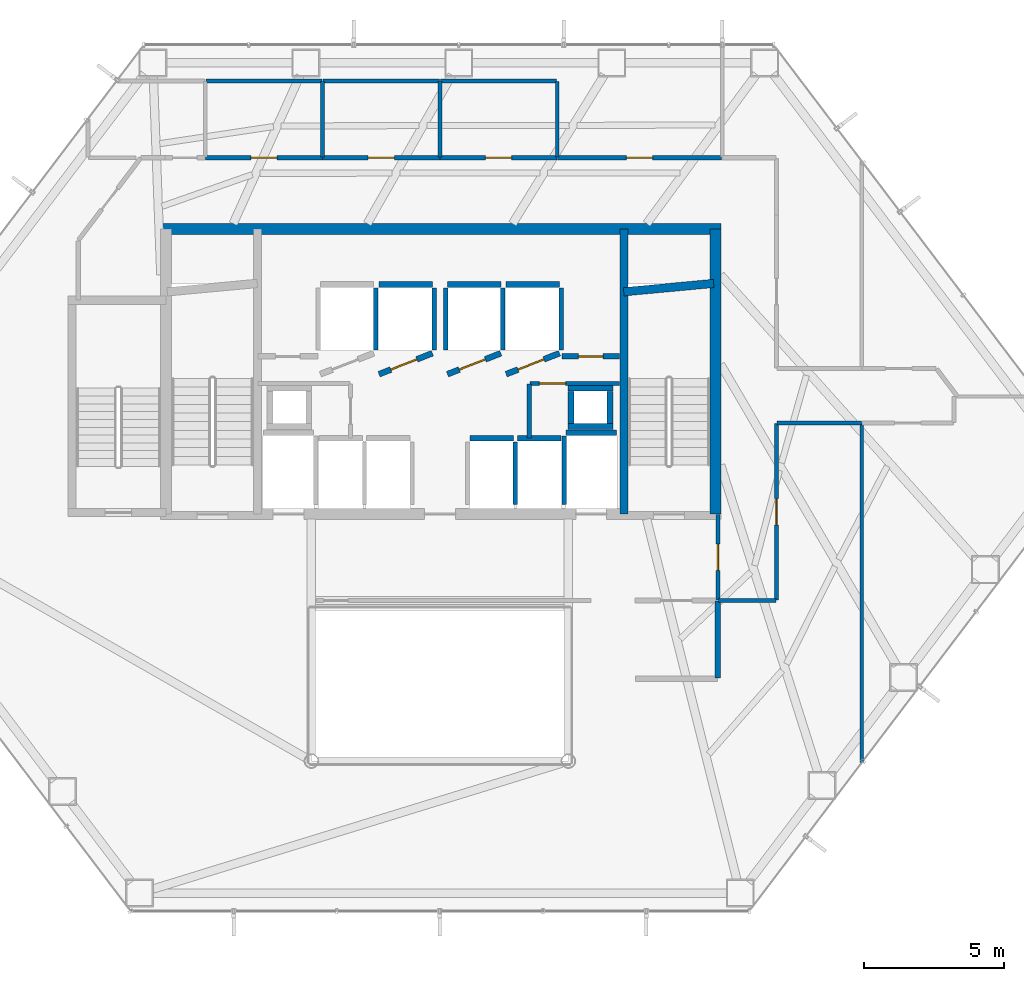
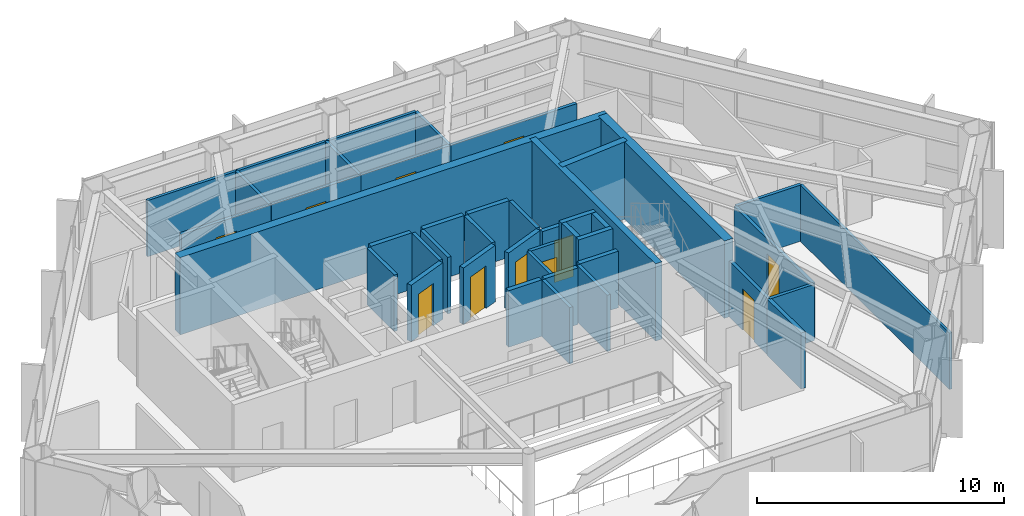
# One storey, part 23 of 25: 43 walls, 11 doors, 11 openings.
"""IFC4 building model written with IfcOpenShell, lengths in metres."""

from ifc_helpers import new_model, si_unit, direction, frame, frame_2d, origin, place, context, subcontext, project, spatial, rectangle, extrude, material, layer, layer_set, type_object, element, fill, save


model = new_model("IFC4")

# Units and contexts
model_context = context("Model", 3, precision=1e-05, world=origin(), true_north=direction((0.0, 1.0)))
body_context = subcontext(model_context, "Body", "Model", "MODEL_VIEW")
ifc_project = project(units=[si_unit("LENGTHUNIT", "METRE"), si_unit("AREAUNIT", "SQUARE_METRE"), si_unit("VOLUMEUNIT", "CUBIC_METRE"), si_unit("PLANEANGLEUNIT", "RADIAN"), si_unit("MASSUNIT", "GRAM", prefix="KILO")], contexts=[model_context])

# Site, building, storey
site_placement = place(None, origin())
site = spatial("IfcSite", under=ifc_project, at=site_placement, CompositionType="ELEMENT")
building_placement = place(site_placement, origin())
building = spatial("IfcBuilding", under=site, at=building_placement, Name="Zarrinselat Tower", CompositionType="ELEMENT")
storey_placement = place(building_placement, frame((0.0, 0.0, 39.780029296875)))
storey = spatial("IfcBuildingStorey", under=building, at=storey_placement, Name="L09", CompositionType="ELEMENT", Elevation=39.780029296875)

# Wall
ifc_material_1 = material(Name="Concrete C40/50", Category="concrete")
ifc_layer_1 = layer(ifc_material_1, 0.18994140625)
ifc_layer_set_1 = layer_set([ifc_layer_1], Name="Concrete C40/50")
wall_type_1 = type_object("IfcWallType", Name="WAL-PART-EI120", PredefinedType="PARTITIONING", material=ifc_layer_set_1)
wall_1_placement = place(storey_placement, frame((48.35009765625, 27.3701171875, 0.0), z_axis=(0.0, 0.0, 1.0), x_axis=(0.0, 1.0, 0.0)))
element("IfcWall", 1, at=wall_1_placement, inside=storey, type_object=wall_type_1, Name="L09 Partition Wall 11", PredefinedType="PARTITIONING", context=body_context, shape_type="SweptSolid", body=[
    extrude(rectangle(XDim=2.759765625, YDim=0.18994140625, at=frame_2d((1.3798828125, 0.0))), origin(), (0.0, 0.0, 1.0), 2.77685546875),
])

# Wall, opening, door
ifc_material_2 = material(Name="Fire-Rated Gypsum Board Partition", Category="gypsum")
ifc_layer_2 = layer(ifc_material_2, 0.14990234375)
ifc_layer_set_2 = layer_set([ifc_layer_2], Name="Fire-Rated Gypsum Board Partition")
wall_type_2 = type_object("IfcWallType", Name="WAL-PART-EI60", PredefinedType="PARTITIONING", material=ifc_layer_set_2)
wall_2_placement = place(storey_placement, frame((41.6201171875, 37.919921875, 0.0), z_axis=(0.0, 0.0, 1.0), x_axis=(1.0, 0.0, 0.0)))
wall_2 = element("IfcWall", 2, at=wall_2_placement, inside=storey, type_object=wall_type_2, Name="L09 Partition Wall 5", PredefinedType="PARTITIONING", context=body_context, shape_type="SweptSolid", body=[
    extrude(rectangle(XDim=3.21484375, YDim=0.14990234375, at=frame_2d((1.607421875, 0.0))), origin(), (0.0, 0.0, 1.0), 2.77685546875),
])
opening_1_placement = place(wall_2_placement, frame((0.33740234375, 0.0, 0.0)))
opening_1 = element("IfcOpeningElement", 3, at=opening_1_placement, cuts=wall_2, Name="Opening ID-04", PredefinedType="OPENING", context=body_context, shape_type="SweptSolid", body=[
    extrude(rectangle(XDim=0.93994140625, YDim=2.050048828125, at=frame_2d((0.469970703125, 1.02490234375))), frame((0.0, 0.0849609375, 0.0), z_axis=(0.0, -1.0, 0.0), x_axis=(1.0, 0.0, 0.0)), (0.0, 0.0, 1.0), 0.169921875),
])
ifc_material_3 = material(Name="Fire-Rated Gypsum Board Partition")
door_type_1 = type_object("IfcDoorType", Name="DR-INT-FD30-ENT", OperationType="NOTDEFINED", PredefinedType="DOOR", material=ifc_material_3)
door_1_placement = place(opening_1_placement, origin())
door_1 = element("IfcDoor", 4, at=door_1_placement, inside=storey, type_object=door_type_1, Name="L09 Interior Door P5", OperationType="SINGLE_SWING_RIGHT", OverallHeight=2.050048828125, OverallWidth=0.93994140625, PredefinedType="DOOR", context=body_context, shape_type="SweptSolid", body=[
    extrude(rectangle(XDim=0.93994140625, YDim=2.050048828125, at=frame_2d((0.469970703125, 1.02490234375))), frame((0.0, 0.02490234375, 0.0), z_axis=(0.0, -1.0, 0.0), x_axis=(1.0, 0.0, 0.0)), (0.0, 0.0, 1.0), 0.050048828125),
])
fill(opening_1, door_1)

# Wall
wall_3_placement = place(storey_placement, frame((41.60009765625, 35.969970703125, 0.0), z_axis=(0.0, 0.0, 1.0), x_axis=(0.0, 1.0, 0.0)))
element("IfcWall", 5, at=wall_3_placement, inside=storey, type_object=wall_type_2, Name="L09 Partition Wall 6", PredefinedType="PARTITIONING", context=body_context, shape_type="SweptSolid", body=[
    extrude(rectangle(XDim=1.929931640625, YDim=0.14990234375, at=frame_2d((0.96484375, 0.0))), origin(), (0.0, 0.0, 1.0), 2.77685546875),
])

# Wall, opening, door
wall_4_placement = place(storey_placement, frame((48.35009765625, 30.169921875, 0.0), z_axis=(0.0, 0.0, 1.0), x_axis=(0.0, 1.0, 0.0)))
wall_4 = element("IfcWall", 6, at=wall_4_placement, inside=storey, type_object=wall_type_2, Name="L09 Partition Wall 8", PredefinedType="PARTITIONING", context=body_context, shape_type="SweptSolid", body=[
    extrude(rectangle(XDim=3.06005859375, YDim=0.14990234375, at=frame_2d((1.530029296875, 0.0))), origin(), (0.0, 0.0, 1.0), 2.77685546875),
])
opening_2_placement = place(wall_4_placement, frame((1.06005859375, 0.0, 0.0)))
opening_2 = element("IfcOpeningElement", 7, at=opening_2_placement, cuts=wall_4, Name="Opening ID-04", PredefinedType="OPENING", context=body_context, shape_type="SweptSolid", body=[
    extrude(rectangle(XDim=0.93994140625, YDim=2.050048828125, at=frame_2d((0.469970703125, 1.02490234375))), frame((0.0, 0.0849609375, 0.0), z_axis=(0.0, -1.0, 0.0), x_axis=(1.0, 0.0, 0.0)), (0.0, 0.0, 1.0), 0.169921875),
])
door_2_placement = place(opening_2_placement, origin())
door_2 = element("IfcDoor", 8, at=door_2_placement, inside=storey, type_object=door_type_1, Name="L09 Interior Door P8", OperationType="SINGLE_SWING_RIGHT", OverallHeight=2.050048828125, OverallWidth=0.93994140625, PredefinedType="DOOR", context=body_context, shape_type="SweptSolid", body=[
    extrude(rectangle(XDim=0.93994140625, YDim=2.050048828125, at=frame_2d((0.469970703125, 1.02490234375))), frame((0.0, 0.02490234375, 0.0), z_axis=(0.0, -1.0, 0.0), x_axis=(1.0, 0.0, 0.0)), (0.0, 0.0, 1.0), 0.050048828125),
])
fill(opening_2, door_2)

wall_5_placement = place(storey_placement, frame((30.0048828125, 46.0, 0.0), z_axis=(0.0, 0.0, 1.0), x_axis=(1.0, 0.0, 0.0)))
wall_5 = element("IfcWall", 9, at=wall_5_placement, inside=storey, type_object=wall_type_2, Name="L09 Partition Wall 14", PredefinedType="PARTITIONING", context=body_context, shape_type="SweptSolid", body=[
    extrude(rectangle(XDim=4.190185546875, YDim=0.14990234375, at=frame_2d((2.09521484375, 0.0))), origin(), (0.0, 0.0, 1.0), 2.77685546875),
])
opening_3_placement = place(wall_5_placement, frame((1.625, 0.0, 0.0)))
opening_3 = element("IfcOpeningElement", 10, at=opening_3_placement, cuts=wall_5, Name="Opening ID-04", PredefinedType="OPENING", context=body_context, shape_type="SweptSolid", body=[
    extrude(rectangle(XDim=0.93994140625, YDim=2.050048828125, at=frame_2d((0.469970703125, 1.02490234375))), frame((0.0, 0.0849609375, 0.0), z_axis=(0.0, -1.0, 0.0), x_axis=(1.0, 0.0, 0.0)), (0.0, 0.0, 1.0), 0.169921875),
])
door_3_placement = place(opening_3_placement, origin())
door_3 = element("IfcDoor", 11, at=door_3_placement, inside=storey, type_object=door_type_1, Name="L09 Interior Door P14", OperationType="SINGLE_SWING_LEFT", OverallHeight=2.050048828125, OverallWidth=0.93994140625, PredefinedType="DOOR", context=body_context, shape_type="SweptSolid", body=[
    extrude(rectangle(XDim=0.93994140625, YDim=2.050048828125, at=frame_2d((0.469970703125, 1.02490234375))), frame((0.0, 0.02490234375, 0.0), z_axis=(0.0, -1.0, 0.0), x_axis=(1.0, 0.0, 0.0)), (0.0, 0.0, 1.0), 0.050048828125),
])
fill(opening_3, door_3)

wall_6_placement = place(storey_placement, frame((34.205078125, 46.0, 0.0), z_axis=(0.0, 0.0, 1.0), x_axis=(1.0, 0.0, 0.0)))
wall_6 = element("IfcWall", 12, at=wall_6_placement, inside=storey, type_object=wall_type_2, Name="L09 Partition Wall 15", PredefinedType="PARTITIONING", context=body_context, shape_type="SweptSolid", body=[
    extrude(rectangle(XDim=4.18994140625, YDim=0.14990234375, at=frame_2d((2.094970703125, 0.0))), origin(), (0.0, 0.0, 1.0), 2.77685546875),
])
opening_4_placement = place(wall_6_placement, frame((1.625, 0.0, 0.0)))
opening_4 = element("IfcOpeningElement", 13, at=opening_4_placement, cuts=wall_6, Name="Opening ID-04", PredefinedType="OPENING", context=body_context, shape_type="SweptSolid", body=[
    extrude(rectangle(XDim=0.93994140625, YDim=2.050048828125, at=frame_2d((0.469970703125, 1.02490234375))), frame((0.0, 0.0849609375, 0.0), z_axis=(0.0, -1.0, 0.0), x_axis=(1.0, 0.0, 0.0)), (0.0, 0.0, 1.0), 0.169921875),
])
door_4_placement = place(opening_4_placement, origin())
door_4 = element("IfcDoor", 14, at=door_4_placement, inside=storey, type_object=door_type_1, Name="L09 Interior Door P15", OperationType="SINGLE_SWING_RIGHT", OverallHeight=2.050048828125, OverallWidth=0.93994140625, PredefinedType="DOOR", context=body_context, shape_type="SweptSolid", body=[
    extrude(rectangle(XDim=0.93994140625, YDim=2.050048828125, at=frame_2d((0.469970703125, 1.02490234375))), frame((0.0, 0.02490234375, 0.0), z_axis=(0.0, -1.0, 0.0), x_axis=(1.0, 0.0, 0.0)), (0.0, 0.0, 1.0), 0.050048828125),
])
fill(opening_4, door_4)

wall_7_placement = place(storey_placement, frame((38.405029296875, 46.0, 0.0), z_axis=(0.0, 0.0, 1.0), x_axis=(1.0, 0.0, 0.0)))
wall_7 = element("IfcWall", 15, at=wall_7_placement, inside=storey, type_object=wall_type_2, Name="L09 Partition Wall 16", PredefinedType="PARTITIONING", context=body_context, shape_type="SweptSolid", body=[
    extrude(rectangle(XDim=4.18994140625, YDim=0.14990234375, at=frame_2d((2.094970703125, 0.0))), origin(), (0.0, 0.0, 1.0), 2.77685546875),
])
opening_5_placement = place(wall_7_placement, frame((1.625, 0.0, 0.0)))
opening_5 = element("IfcOpeningElement", 16, at=opening_5_placement, cuts=wall_7, Name="Opening ID-04", PredefinedType="OPENING", context=body_context, shape_type="SweptSolid", body=[
    extrude(rectangle(XDim=0.93994140625, YDim=2.050048828125, at=frame_2d((0.469970703125, 1.02490234375))), frame((0.0, 0.0849609375, 0.0), z_axis=(0.0, -1.0, 0.0), x_axis=(1.0, 0.0, 0.0)), (0.0, 0.0, 1.0), 0.169921875),
])
door_5_placement = place(opening_5_placement, origin())
door_5 = element("IfcDoor", 17, at=door_5_placement, inside=storey, type_object=door_type_1, Name="L09 Interior Door P16", OperationType="SINGLE_SWING_LEFT", OverallHeight=2.050048828125, OverallWidth=0.93994140625, PredefinedType="DOOR", context=body_context, shape_type="SweptSolid", body=[
    extrude(rectangle(XDim=0.93994140625, YDim=2.050048828125, at=frame_2d((0.469970703125, 1.02490234375))), frame((0.0, 0.02490234375, 0.0), z_axis=(0.0, -1.0, 0.0), x_axis=(1.0, 0.0, 0.0)), (0.0, 0.0, 1.0), 0.050048828125),
])
fill(opening_5, door_5)

# Wall
wall_8_placement = place(storey_placement, frame((50.469970703125, 36.5, 0.0), z_axis=(0.0, 0.0, 1.0), x_axis=(1.0, 0.0, 0.0)))
element("IfcWall", 18, at=wall_8_placement, inside=storey, type_object=wall_type_2, Name="L09 Partition Wall 17", PredefinedType="PARTITIONING", context=body_context, shape_type="SweptSolid", body=[
    extrude(rectangle(XDim=3.025146484375, YDim=0.14990234375, at=frame_2d((1.5126953125, 0.0))), origin(), (0.0, 0.0, 1.0), 2.77685546875),
])

# Wall, opening, door
wall_9_placement = place(storey_placement, frame((50.449951171875, 30.169921875, 0.0), z_axis=(0.0, 0.0, 1.0), x_axis=(0.0, 1.0, 0.0)))
wall_9 = element("IfcWall", 19, at=wall_9_placement, inside=storey, type_object=wall_type_2, Name="L09 Partition Wall 18", PredefinedType="PARTITIONING", context=body_context, shape_type="SweptSolid", body=[
    extrude(rectangle(XDim=6.31005859375, YDim=0.14990234375, at=frame_2d((3.155029296875, 0.0))), origin(), (0.0, 0.0, 1.0), 2.77685546875),
])
opening_6_placement = place(wall_9_placement, frame((2.68505859375, 0.0, 0.0)))
opening_6 = element("IfcOpeningElement", 20, at=opening_6_placement, cuts=wall_9, Name="Opening ID-04", PredefinedType="OPENING", context=body_context, shape_type="SweptSolid", body=[
    extrude(rectangle(XDim=0.93994140625, YDim=2.050048828125, at=frame_2d((0.469970703125, 1.02490234375))), frame((0.0, 0.0849609375, 0.0), z_axis=(0.0, -1.0, 0.0), x_axis=(1.0, 0.0, 0.0)), (0.0, 0.0, 1.0), 0.169921875),
])
door_6_placement = place(opening_6_placement, origin())
door_6 = element("IfcDoor", 21, at=door_6_placement, inside=storey, type_object=door_type_1, Name="L09 Interior Door P18", OperationType="SINGLE_SWING_RIGHT", OverallHeight=2.050048828125, OverallWidth=0.93994140625, PredefinedType="DOOR", context=body_context, shape_type="SweptSolid", body=[
    extrude(rectangle(XDim=0.93994140625, YDim=2.050048828125, at=frame_2d((0.469970703125, 1.02490234375))), frame((0.0, 0.02490234375, 0.0), z_axis=(0.0, -1.0, 0.0), x_axis=(1.0, 0.0, 0.0)), (0.0, 0.0, 1.0), 0.050048828125),
])
fill(opening_6, door_6)

# Wall
wall_10_placement = place(storey_placement, frame((48.3701171875, 30.14990234375, 0.0), z_axis=(0.0, 0.0, 1.0), x_axis=(1.0, 0.0, 0.0)))
element("IfcWall", 22, at=wall_10_placement, inside=storey, type_object=wall_type_2, Name="L09 Partition Wall 19", PredefinedType="PARTITIONING", context=body_context, shape_type="SweptSolid", body=[
    extrude(rectangle(XDim=2.059814453125, YDim=0.14990234375, at=frame_2d((1.02978515625, 0.0))), origin(), (0.0, 0.0, 1.0), 2.77685546875),
])

# Wall, opening, door
wall_11_placement = place(storey_placement, frame((42.60498046875, 46.0, 0.0), z_axis=(0.0, 0.0, 1.0), x_axis=(1.0, 0.0, 0.0)))
wall_11 = element("IfcWall", 23, at=wall_11_placement, inside=storey, type_object=wall_type_2, Name="L09 Partition Wall 30", PredefinedType="PARTITIONING", context=body_context, shape_type="SweptSolid", body=[
    extrude(rectangle(XDim=5.880126953125, YDim=0.14990234375, at=frame_2d((2.93994140625, 0.0))), origin(), (0.0, 0.0, 1.0), 2.77685546875),
])
opening_7_placement = place(wall_11_placement, frame((2.469970703125, 0.0, 0.0)))
opening_7 = element("IfcOpeningElement", 24, at=opening_7_placement, cuts=wall_11, Name="Opening ID-04", PredefinedType="OPENING", context=body_context, shape_type="SweptSolid", body=[
    extrude(rectangle(XDim=0.93994140625, YDim=2.050048828125, at=frame_2d((0.469970703125, 1.02490234375))), frame((0.0, 0.0849609375, 0.0), z_axis=(0.0, -1.0, 0.0), x_axis=(1.0, 0.0, 0.0)), (0.0, 0.0, 1.0), 0.169921875),
])
door_7_placement = place(opening_7_placement, origin())
door_7 = element("IfcDoor", 25, at=door_7_placement, inside=storey, type_object=door_type_1, Name="L09 Interior Door P30", OperationType="SINGLE_SWING_LEFT", OverallHeight=2.050048828125, OverallWidth=0.93994140625, PredefinedType="DOOR", context=body_context, shape_type="SweptSolid", body=[
    extrude(rectangle(XDim=0.93994140625, YDim=2.050048828125, at=frame_2d((0.469970703125, 1.02490234375))), frame((0.0, 0.02490234375, 0.0), z_axis=(0.0, -1.0, 0.0), x_axis=(1.0, 0.0, 0.0)), (0.0, 0.0, 1.0), 0.050048828125),
])
fill(opening_7, door_7)

ifc_material_4 = material(Name="Concrete C40/50", Category="concrete")
ifc_layer_3 = layer(ifc_material_4, 0.199951171875)
ifc_layer_set_3 = layer_set([ifc_layer_3], Name="Concrete C40/50")
wall_type_3 = type_object("IfcWallType", Name="WAL-PART-PLANT", PredefinedType="PARTITIONING", material=ifc_layer_set_3)
wall_12_placement = place(storey_placement, frame((42.764892578125, 38.889892578125, 0.0), z_axis=(0.0, 0.0, 1.0), x_axis=(1.0, 0.0, 0.0)))
wall_12 = element("IfcWall", 26, at=wall_12_placement, inside=storey, type_object=wall_type_3, Name="L09 Partition Wall 4", PredefinedType="PARTITIONING", context=body_context, shape_type="SweptSolid", body=[
    extrude(rectangle(XDim=2.070068359375, YDim=0.199951171875, at=frame_2d((1.03515625, 0.0))), origin(), (0.0, 0.0, 1.0), 2.77685546875),
])
opening_8_placement = place(wall_12_placement, frame((0.594970703125, 0.0, 0.0)))
opening_8 = element("IfcOpeningElement", 27, at=opening_8_placement, cuts=wall_12, Name="Opening ID-03", PredefinedType="OPENING", context=body_context, shape_type="SweptSolid", body=[
    extrude(rectangle(XDim=0.8798828125, YDim=2.050048828125, at=frame_2d((0.43994140625, 1.02490234375))), frame((0.0, 0.10986328125, 0.0), z_axis=(0.0, -1.0, 0.0), x_axis=(1.0, 0.0, 0.0)), (0.0, 0.0, 1.0), 0.219970703125),
])
ifc_material_5 = material(Name="Steel S355J2", Category="steel")
door_type_2 = type_object("IfcDoorType", Name="DR-INT-FD60-S", OperationType="NOTDEFINED", PredefinedType="DOOR", material=ifc_material_5)
door_8_placement = place(opening_8_placement, origin())
door_8 = element("IfcDoor", 28, at=door_8_placement, inside=storey, type_object=door_type_2, Name="L09 Interior Door P4", OperationType="SINGLE_SWING_LEFT", OverallHeight=2.050048828125, OverallWidth=0.8798828125, PredefinedType="DOOR", context=body_context, shape_type="SweptSolid", body=[
    extrude(rectangle(XDim=0.8798828125, YDim=2.050048828125, at=frame_2d((0.43994140625, 1.02490234375))), frame((0.0, 0.02490234375, 0.0), z_axis=(0.0, -1.0, 0.0), x_axis=(1.0, 0.0, 0.0)), (0.0, 0.0, 1.0), 0.050048828125),
])
fill(opening_8, door_8)

# Walls
ifc_material_6 = material(Name="Fire-Rated Gypsum Board Partition", Category="gypsum")
ifc_layer_4 = layer(ifc_material_6, 0.1201171875)
ifc_layer_set_4 = layer_set([ifc_layer_4], Name="Fire-Rated Gypsum Board Partition")
wall_type_4 = type_object("IfcWallType", Name="WAL-PART-STD", PredefinedType="PARTITIONING", material=ifc_layer_set_4)
wall_13_placement = place(storey_placement, frame((53.5, 24.351318359375, 0.0), z_axis=(0.0, 0.0, 1.0), x_axis=(0.0, 1.0, 0.0)))
element("IfcWall", 29, at=wall_13_placement, inside=storey, type_object=wall_type_4, Name="L09 Partition Wall 41", PredefinedType="PARTITIONING", context=body_context, shape_type="SweptSolid", body=[
    extrude(rectangle(XDim=12.128662109375, YDim=0.1201171875, at=frame_2d((6.064453125, 0.0))), origin(), (0.0, 0.0, 1.0), 2.77685546875),
])
ifc_material_7 = material(Name="Fire-Rated Gypsum Board Partition", Category="gypsum")
ifc_layer_5 = layer(ifc_material_7, 0.135009765625)
ifc_layer_set_5 = layer_set([ifc_layer_5], Name="Fire-Rated Gypsum Board Partition")
wall_type_5 = type_object("IfcWallType", Name="WAL-PART-WET", PredefinedType="PARTITIONING", material=ifc_layer_set_5)
wall_14_placement = place(storey_placement, frame((34.199951171875, 46.02001953125, 0.0), z_axis=(0.0, 0.0, 1.0), x_axis=(0.0, 1.0, 0.0)))
element("IfcWall", 30, at=wall_14_placement, inside=storey, type_object=wall_type_5, Name="L09 Partition Wall 35", PredefinedType="PARTITIONING", context=body_context, shape_type="SweptSolid", body=[
    extrude(rectangle(XDim=2.7099609375, YDim=0.135009765625, at=frame_2d((1.35498046875, 0.0))), origin(), (0.0, 0.0, 1.0), 2.77685546875),
])
wall_15_placement = place(storey_placement, frame((30.02001953125, 48.75, 0.0), z_axis=(0.0, 0.0, 1.0), x_axis=(1.0, 0.0, 0.0)))
element("IfcWall", 31, at=wall_15_placement, inside=storey, type_object=wall_type_5, Name="L09 Partition Wall 36", PredefinedType="PARTITIONING", context=body_context, shape_type="SweptSolid", body=[
    extrude(rectangle(XDim=4.159912109375, YDim=0.135009765625, at=frame_2d((2.080078125, 0.0))), origin(), (0.0, 0.0, 1.0), 2.77685546875),
])
wall_16_placement = place(storey_placement, frame((38.39990234375, 46.02001953125, 0.0), z_axis=(0.0, 0.0, 1.0), x_axis=(0.0, 1.0, 0.0)))
element("IfcWall", 32, at=wall_16_placement, inside=storey, type_object=wall_type_5, Name="L09 Partition Wall 37", PredefinedType="PARTITIONING", context=body_context, shape_type="SweptSolid", body=[
    extrude(rectangle(XDim=2.7099609375, YDim=0.135009765625, at=frame_2d((1.35498046875, 0.0))), origin(), (0.0, 0.0, 1.0), 2.77685546875),
])
wall_17_placement = place(storey_placement, frame((34.219970703125, 48.75, 0.0), z_axis=(0.0, 0.0, 1.0), x_axis=(1.0, 0.0, 0.0)))
element("IfcWall", 33, at=wall_17_placement, inside=storey, type_object=wall_type_5, Name="L09 Partition Wall 38", PredefinedType="PARTITIONING", context=body_context, shape_type="SweptSolid", body=[
    extrude(rectangle(XDim=4.159912109375, YDim=0.135009765625, at=frame_2d((2.080078125, 0.0))), origin(), (0.0, 0.0, 1.0), 2.77685546875),
])
wall_18_placement = place(storey_placement, frame((38.419921875, 48.75, 0.0), z_axis=(0.0, 0.0, 1.0), x_axis=(1.0, 0.0, 0.0)))
element("IfcWall", 34, at=wall_18_placement, inside=storey, type_object=wall_type_5, Name="L09 Partition Wall 39", PredefinedType="PARTITIONING", context=body_context, shape_type="SweptSolid", body=[
    extrude(rectangle(XDim=4.16015625, YDim=0.135009765625, at=frame_2d((2.080078125, 0.0))), origin(), (0.0, 0.0, 1.0), 2.77685546875),
])
wall_19_placement = place(storey_placement, frame((42.60009765625, 46.02001953125, 0.0), z_axis=(0.0, 0.0, 1.0), x_axis=(0.0, 1.0, 0.0)))
element("IfcWall", 35, at=wall_19_placement, inside=storey, type_object=wall_type_5, Name="L09 Partition Wall 40", PredefinedType="PARTITIONING", context=body_context, shape_type="SweptSolid", body=[
    extrude(rectangle(XDim=2.7099609375, YDim=0.135009765625, at=frame_2d((1.35498046875, 0.0))), origin(), (0.0, 0.0, 1.0), 2.77685546875),
])
ifc_material_8 = material(Name="Concrete C40/50", Category="concrete")
ifc_layer_6 = layer(ifc_material_8, 0.2099609375)
ifc_layer_set_6 = layer_set([ifc_layer_6], Name="Concrete C40/50")
wall_type_6 = type_object("IfcWallType", Name="WAL-SHAFT-210", PredefinedType="SOLIDWALL", material=ifc_layer_set_6)
wall_20_placement = place(storey_placement, frame((42.919921875, 36.155029296875, 0.0), z_axis=(0.0, 0.0, 1.0), x_axis=(1.0, 0.0, 0.0)))
element("IfcWall", 36, at=wall_20_placement, inside=storey, type_object=wall_type_6, Name="L09 Lift FFL2 North Shaft Wall", PredefinedType="SOLIDWALL", context=body_context, shape_type="SweptSolid", body=[
    extrude(rectangle(XDim=1.800048828125, YDim=0.2099609375, at=frame_2d((0.89990234375, 0.0))), origin(), (0.0, 0.0, 1.0), 2.7919921875),
])
wall_21_placement = place(storey_placement, frame((42.85009765625, 33.580078125, 0.0), z_axis=(0.0, 0.0, 1.0), x_axis=(0.0, 1.0, 0.0)))
element("IfcWall", 37, at=wall_21_placement, inside=storey, type_object=wall_type_6, Name="L09 Lift FFL2 W Shaft Wall", PredefinedType="SOLIDWALL", context=body_context, shape_type="SweptSolid", body=[
    extrude(rectangle(XDim=2.449951171875, YDim=0.159912109375, at=frame_2d((1.22509765625, 0.0))), origin(), (0.0, 0.0, 1.0), 2.7919921875),
])
wall_22_placement = place(storey_placement, frame((36.10009765625, 39.1201171875, 0.0), z_axis=(0.0, 0.0, 1.0), x_axis=(0.0, 1.0, 0.0)))
element("IfcWall", 38, at=wall_22_placement, inside=storey, type_object=wall_type_6, Name="L09 Lift PL1 E Shaft Wall", PredefinedType="SOLIDWALL", context=body_context, shape_type="SweptSolid", body=[
    extrude(rectangle(XDim=2.2099609375, YDim=0.159912109375, at=frame_2d((1.10498046875, 0.0))), origin(), (0.0, 0.0, 1.0), 2.7919921875),
])

# Wall, opening, door
wall_23_placement = place(storey_placement, frame((36.219970703125, 38.25, 0.0), z_axis=(0.0, 0.0, 1.0), x_axis=(0.930804993012, 0.36551616241, 0.0)))
wall_23 = element("IfcWall", 39, at=wall_23_placement, inside=storey, type_object=wall_type_6, Name="L09 Lift PL2 Front Shaft Wall", PredefinedType="SOLIDWALL", context=body_context, shape_type="SweptSolid", body=[
    extrude(rectangle(XDim=2.052001953125, YDim=0.2099609375, at=frame_2d((1.02587890625, 0.0))), origin(), (0.0, 0.0, 1.0), 2.7919921875),
])
opening_9_placement = place(wall_23_placement, frame((0.455078125, 0.0, 0.0)))
opening_9 = element("IfcOpeningElement", 40, at=opening_9_placement, cuts=wall_23, Name="Opening LD-PL2", PredefinedType="OPENING", context=body_context, shape_type="SweptSolid", body=[
    extrude(rectangle(XDim=1.0, YDim=2.10009765625, at=frame_2d((0.5, 1.050048828125))), frame((0.0, 0.114990234375, 0.0), z_axis=(0.0, -1.0, 0.0), x_axis=(1.0, 0.0, 0.0)), (0.0, 0.0, 1.0), 0.22998046875),
])
ifc_material_9 = material(Name="Steel S355J2", Category="steel")
door_type_3 = type_object("IfcDoorType", Name="DR-LIFT-PS-1000", OperationType="NOTDEFINED", PredefinedType="DOOR", material=ifc_material_9)
door_9_placement = place(opening_9_placement, origin())
door_9 = element("IfcDoor", 41, at=door_9_placement, inside=storey, type_object=door_type_3, Name="L09 Lift PL2 Sliding Landing Door", OperationType="SLIDING_TO_RIGHT", OverallHeight=2.10009765625, OverallWidth=1.0, PredefinedType="DOOR", context=body_context, shape_type="SweptSolid", body=[
    extrude(rectangle(XDim=1.0, YDim=2.10009765625, at=frame_2d((0.5, 1.050048828125))), frame((0.0, 0.02490234375, 0.0), z_axis=(0.0, -1.0, 0.0), x_axis=(1.0, 0.0, 0.0)), (0.0, 0.0, 1.0), 0.050048828125),
])
fill(opening_9, door_9)

# Walls
wall_24_placement = place(storey_placement, frame((36.219970703125, 41.455078125, 0.0), z_axis=(0.0, 0.0, 1.0), x_axis=(1.0, 0.0, 0.0)))
element("IfcWall", 42, at=wall_24_placement, inside=storey, type_object=wall_type_6, Name="L09 Lift PL2 Rear Shaft Wall", PredefinedType="SOLIDWALL", context=body_context, shape_type="SweptSolid", body=[
    extrude(rectangle(XDim=1.909912109375, YDim=0.2099609375, at=frame_2d((0.955078125, 0.0))), origin(), (0.0, 0.0, 1.0), 2.7919921875),
])
wall_25_placement = place(storey_placement, frame((38.199951171875, 39.1201171875, 0.0), z_axis=(0.0, 0.0, 1.0), x_axis=(0.0, 1.0, 0.0)))
element("IfcWall", 43, at=wall_25_placement, inside=storey, type_object=wall_type_6, Name="L09 Lift PL2 E Shaft Wall", PredefinedType="SOLIDWALL", context=body_context, shape_type="SweptSolid", body=[
    extrude(rectangle(XDim=2.2099609375, YDim=0.159912109375, at=frame_2d((1.10498046875, 0.0))), origin(), (0.0, 0.0, 1.0), 2.7919921875),
])

# Wall, opening, door
wall_26_placement = place(storey_placement, frame((38.669921875, 38.25, 0.0), z_axis=(0.0, 0.0, 1.0), x_axis=(0.930820886763, 0.3654756856, 0.0)))
wall_26 = element("IfcWall", 44, at=wall_26_placement, inside=storey, type_object=wall_type_6, Name="L09 Lift PL3 Front Shaft Wall", PredefinedType="SOLIDWALL", context=body_context, shape_type="SweptSolid", body=[
    extrude(rectangle(XDim=2.052001953125, YDim=0.2099609375, at=frame_2d((1.02587890625, 0.0))), origin(), (0.0, 0.0, 1.0), 2.7919921875),
])
opening_10_placement = place(wall_26_placement, frame((0.455078125, 0.0, 0.0)))
opening_10 = element("IfcOpeningElement", 45, at=opening_10_placement, cuts=wall_26, Name="Opening LD-PL3", PredefinedType="OPENING", context=body_context, shape_type="SweptSolid", body=[
    extrude(rectangle(XDim=1.0, YDim=2.10009765625, at=frame_2d((0.5, 1.050048828125))), frame((0.0, 0.114990234375, 0.0), z_axis=(0.0, -1.0, 0.0), x_axis=(1.0, 0.0, 0.0)), (0.0, 0.0, 1.0), 0.22998046875),
])
door_10_placement = place(opening_10_placement, origin())
door_10 = element("IfcDoor", 46, at=door_10_placement, inside=storey, type_object=door_type_3, Name="L09 Lift PL3 Sliding Landing Door", OperationType="SLIDING_TO_LEFT", OverallHeight=2.10009765625, OverallWidth=1.0, PredefinedType="DOOR", context=body_context, shape_type="SweptSolid", body=[
    extrude(rectangle(XDim=1.0, YDim=2.10009765625, at=frame_2d((0.5, 1.050048828125))), frame((0.0, 0.02490234375, 0.0), z_axis=(0.0, -1.0, 0.0), x_axis=(1.0, 0.0, 0.0)), (0.0, 0.0, 1.0), 0.050048828125),
])
fill(opening_10, door_10)

# Walls
wall_27_placement = place(storey_placement, frame((38.669921875, 41.455078125, 0.0), z_axis=(0.0, 0.0, 1.0), x_axis=(1.0, 0.0, 0.0)))
element("IfcWall", 47, at=wall_27_placement, inside=storey, type_object=wall_type_6, Name="L09 Lift PL3 Rear Shaft Wall", PredefinedType="SOLIDWALL", context=body_context, shape_type="SweptSolid", body=[
    extrude(rectangle(XDim=1.91015625, YDim=0.2099609375, at=frame_2d((0.955078125, 0.0))), origin(), (0.0, 0.0, 1.0), 2.7919921875),
])
for number, where, z_axis, x_axis, name in (
    (48, (38.60009765625, 39.1201171875, 0.0), (0.0, 0.0, 1.0), (0.0, 1.0, 0.0), "L09 Lift PL3 W Shaft Wall"),
    (49, (40.64990234375, 39.1201171875, 0.0), (0.0, 0.0, 1.0), (0.0, 1.0, 0.0), "L09 Lift PL3 E Shaft Wall"),
):
    element("IfcWall", number, at=place(storey_placement, frame(where, z_axis=z_axis, x_axis=x_axis)), inside=storey, type_object=wall_type_6, Name=name, PredefinedType="SOLIDWALL", context=body_context, shape_type="SweptSolid", body=[
        extrude(rectangle(XDim=2.2099609375, YDim=0.159912109375, at=frame_2d((1.10498046875, 0.0))), origin(), (0.0, 0.0, 1.0), 2.7919921875),
    ])

# Wall, opening, door
wall_28_placement = place(storey_placement, frame((40.77001953125, 38.25, 0.0), z_axis=(0.0, 0.0, 1.0), x_axis=(0.930804993012, 0.36551616241, 0.0)))
wall_28 = element("IfcWall", 50, at=wall_28_placement, inside=storey, type_object=wall_type_6, Name="L09 Lift PL4 Front Shaft Wall", PredefinedType="SOLIDWALL", context=body_context, shape_type="SweptSolid", body=[
    extrude(rectangle(XDim=2.052001953125, YDim=0.2099609375, at=frame_2d((1.02587890625, 0.0))), origin(), (0.0, 0.0, 1.0), 2.7919921875),
])
opening_11_placement = place(wall_28_placement, frame((0.455078125, 0.0, 0.0)))
opening_11 = element("IfcOpeningElement", 51, at=opening_11_placement, cuts=wall_28, Name="Opening LD-PL4", PredefinedType="OPENING", context=body_context, shape_type="SweptSolid", body=[
    extrude(rectangle(XDim=1.0, YDim=2.10009765625, at=frame_2d((0.5, 1.050048828125))), frame((0.0, 0.114990234375, 0.0), z_axis=(0.0, -1.0, 0.0), x_axis=(1.0, 0.0, 0.0)), (0.0, 0.0, 1.0), 0.22998046875),
])
door_11_placement = place(opening_11_placement, origin())
door_11 = element("IfcDoor", 52, at=door_11_placement, inside=storey, type_object=door_type_3, Name="L09 Lift PL4 Sliding Landing Door", OperationType="SLIDING_TO_RIGHT", OverallHeight=2.10009765625, OverallWidth=1.0, PredefinedType="DOOR", context=body_context, shape_type="SweptSolid", body=[
    extrude(rectangle(XDim=1.0, YDim=2.10009765625, at=frame_2d((0.5, 1.050048828125))), frame((0.0, 0.02490234375, 0.0), z_axis=(0.0, -1.0, 0.0), x_axis=(1.0, 0.0, 0.0)), (0.0, 0.0, 1.0), 0.050048828125),
])
fill(opening_11, door_11)

# Walls
wall_29_placement = place(storey_placement, frame((40.77001953125, 41.455078125, 0.0), z_axis=(0.0, 0.0, 1.0), x_axis=(1.0, 0.0, 0.0)))
element("IfcWall", 53, at=wall_29_placement, inside=storey, type_object=wall_type_6, Name="L09 Lift PL4 Rear Shaft Wall", PredefinedType="SOLIDWALL", context=body_context, shape_type="SweptSolid", body=[
    extrude(rectangle(XDim=1.909912109375, YDim=0.2099609375, at=frame_2d((0.955078125, 0.0))), origin(), (0.0, 0.0, 1.0), 2.7919921875),
])
wall_30_placement = place(storey_placement, frame((42.75, 39.1201171875, 0.0), z_axis=(0.0, 0.0, 1.0), x_axis=(0.0, 1.0, 0.0)))
element("IfcWall", 54, at=wall_30_placement, inside=storey, type_object=wall_type_6, Name="L09 Lift PL4 E Shaft Wall", PredefinedType="SOLIDWALL", context=body_context, shape_type="SweptSolid", body=[
    extrude(rectangle(XDim=2.2099609375, YDim=0.159912109375, at=frame_2d((1.10498046875, 0.0))), origin(), (0.0, 0.0, 1.0), 2.7919921875),
])
wall_31_placement = place(storey_placement, frame((39.469970703125, 35.955078125, 0.0), z_axis=(0.0, 0.0, 1.0), x_axis=(1.0, 0.0, 0.0)))
element("IfcWall", 55, at=wall_31_placement, inside=storey, type_object=wall_type_6, Name="L09 Lift PL8 North Shaft Wall", PredefinedType="SOLIDWALL", context=body_context, shape_type="SweptSolid", body=[
    extrude(rectangle(XDim=1.56005859375, YDim=0.2099609375, at=frame_2d((0.780029296875, 0.0))), origin(), (0.0, 0.0, 1.0), 2.7919921875),
])
wall_32_placement = place(storey_placement, frame((41.10009765625, 33.580078125, 0.0), z_axis=(0.0, 0.0, 1.0), x_axis=(0.0, 1.0, 0.0)))
element("IfcWall", 56, at=wall_32_placement, inside=storey, type_object=wall_type_6, Name="L09 Lift PL8 E Shaft Wall", PredefinedType="SOLIDWALL", context=body_context, shape_type="SweptSolid", body=[
    extrude(rectangle(XDim=2.25, YDim=0.159912109375, at=frame_2d((1.125, 0.0))), origin(), (0.0, 0.0, 1.0), 2.7919921875),
])
wall_33_placement = place(storey_placement, frame((41.169921875, 35.955078125, 0.0), z_axis=(0.0, 0.0, 1.0), x_axis=(1.0, 0.0, 0.0)))
element("IfcWall", 57, at=wall_33_placement, inside=storey, type_object=wall_type_6, Name="L09 Lift PL9 North Shaft Wall", PredefinedType="SOLIDWALL", context=body_context, shape_type="SweptSolid", body=[
    extrude(rectangle(XDim=1.56005859375, YDim=0.2099609375, at=frame_2d((0.780029296875, 0.0))), origin(), (0.0, 0.0, 1.0), 2.7919921875),
])
for number, where, z_axis, x_axis, name in (
    (58, (42.989990234375, 36.375, 0.0), (0.0, 0.0, 1.0), (1.0, 0.0, 0.0), "L09 Core Riser RSR-E S Shaft Wall"),
    (59, (42.989990234375, 37.7451171875, 0.0), (0.0, 0.0, 1.0), (1.0, 0.0, 0.0), "L09 Core Riser RSR-E N Shaft Wall"),
):
    element("IfcWall", number, at=place(storey_placement, frame(where, z_axis=z_axis, x_axis=x_axis)), inside=storey, type_object=wall_type_6, Name=name, PredefinedType="SOLIDWALL", context=body_context, shape_type="SweptSolid", body=[
        extrude(rectangle(XDim=1.60009765625, YDim=0.2099609375, at=frame_2d((0.800048828125, 0.0))), origin(), (0.0, 0.0, 1.0), 3.820068359375),
    ])
for number, where, z_axis, x_axis, name in (
    (60, (43.094970703125, 36.485107421875, 0.0), (0.0, 0.0, 1.0), (0.0, 1.0, 0.0), "L09 Core Riser RSR-E W Shaft Wall"),
    (61, (44.485107421875, 36.485107421875, 0.0), (0.0, 0.0, 1.0), (0.0, 1.0, 0.0), "L09 Core Riser RSR-E E Shaft Wall"),
):
    element("IfcWall", number, at=place(storey_placement, frame(where, z_axis=z_axis, x_axis=x_axis)), inside=storey, type_object=wall_type_6, Name=name, PredefinedType="SOLIDWALL", context=body_context, shape_type="SweptSolid", body=[
        extrude(rectangle(XDim=1.14990234375, YDim=0.2099609375, at=frame_2d((0.574951171875, 0.0))), origin(), (0.0, 0.0, 1.0), 3.820068359375),
    ])
ifc_material_10 = material(Name="Concrete C40/50", Category="concrete")
ifc_layer_7 = layer(ifc_material_10, 0.300048828125)
ifc_layer_set_7 = layer_set([ifc_layer_7], Name="Concrete C40/50")
wall_type_7 = type_object("IfcWallType", Name="WAL-SHEAR-300", PredefinedType="SHEAR", material=ifc_layer_set_7)
wall_34_placement = place(storey_placement, frame((44.989990234375, 33.25, 0.0), z_axis=(0.0, 0.0, 1.0), x_axis=(0.0, 1.0, 0.0)))
element("IfcWall", 62, at=wall_34_placement, inside=storey, type_object=wall_type_7, Name="L09 Core Shear Wall ST2W", PredefinedType="SHEAR", context=body_context, shape_type="SweptSolid", body=[
    extrude(rectangle(XDim=10.199951171875, YDim=0.300048828125, at=frame_2d((5.10009765625, 0.0))), origin(), (0.0, 0.0, 1.0), 3.820068359375),
])
wall_35_placement = place(storey_placement, frame((44.97998046875, 41.199951171875, 0.0), z_axis=(0.0, 0.0, 1.0), x_axis=(0.995686468965, 0.09278176286, 0.0)))
element("IfcWall", 63, at=wall_35_placement, inside=storey, type_object=wall_type_7, Name="L09 Stair 2 North Shaft Wall", PredefinedType="SHEAR", context=body_context, shape_type="SweptSolid", body=[
    extrude(rectangle(XDim=3.23388671875, YDim=0.300048828125, at=frame_2d((1.616943359375, 0.0))), origin(), (0.0, 0.0, 1.0), 3.820068359375),
])
ifc_material_11 = material(Name="Concrete C60/75", Category="concrete")
ifc_layer_8 = layer(ifc_material_11, 0.39990234375)
ifc_layer_set_8 = layer_set([ifc_layer_8], Name="Concrete C60/75")
wall_type_8 = type_object("IfcWallType", Name="WAL-SHEAR-400", PredefinedType="SHEAR", material=ifc_layer_set_8)
wall_36_placement = place(storey_placement, frame((28.39990234375, 43.449951171875, 0.0), z_axis=(0.0, 0.0, 1.0), x_axis=(1.0, 0.0, 0.0)))
element("IfcWall", 64, at=wall_36_placement, inside=storey, type_object=wall_type_8, Name="L09 North Core Shear Wall", PredefinedType="SHEAR", context=body_context, shape_type="SweptSolid", body=[
    extrude(rectangle(XDim=20.06005859375, YDim=0.39990234375, at=frame_2d((10.030029296875, 0.0))), origin(), (0.0, 0.0, 1.0), 3.820068359375),
])
wall_37_placement = place(storey_placement, frame((48.260009765625, 33.25, 0.0), z_axis=(0.0, 0.0, 1.0), x_axis=(0.0, 1.0, 0.0)))
element("IfcWall", 65, at=wall_37_placement, inside=storey, type_object=wall_type_8, Name="L09 Core Shear Wall E", PredefinedType="SHEAR", context=body_context, shape_type="SweptSolid", body=[
    extrude(rectangle(XDim=10.199951171875, YDim=0.39990234375, at=frame_2d((5.10009765625, 0.0))), origin(), (0.0, 0.0, 1.0), 3.820068359375),
])

save(model, "model.ifc")
